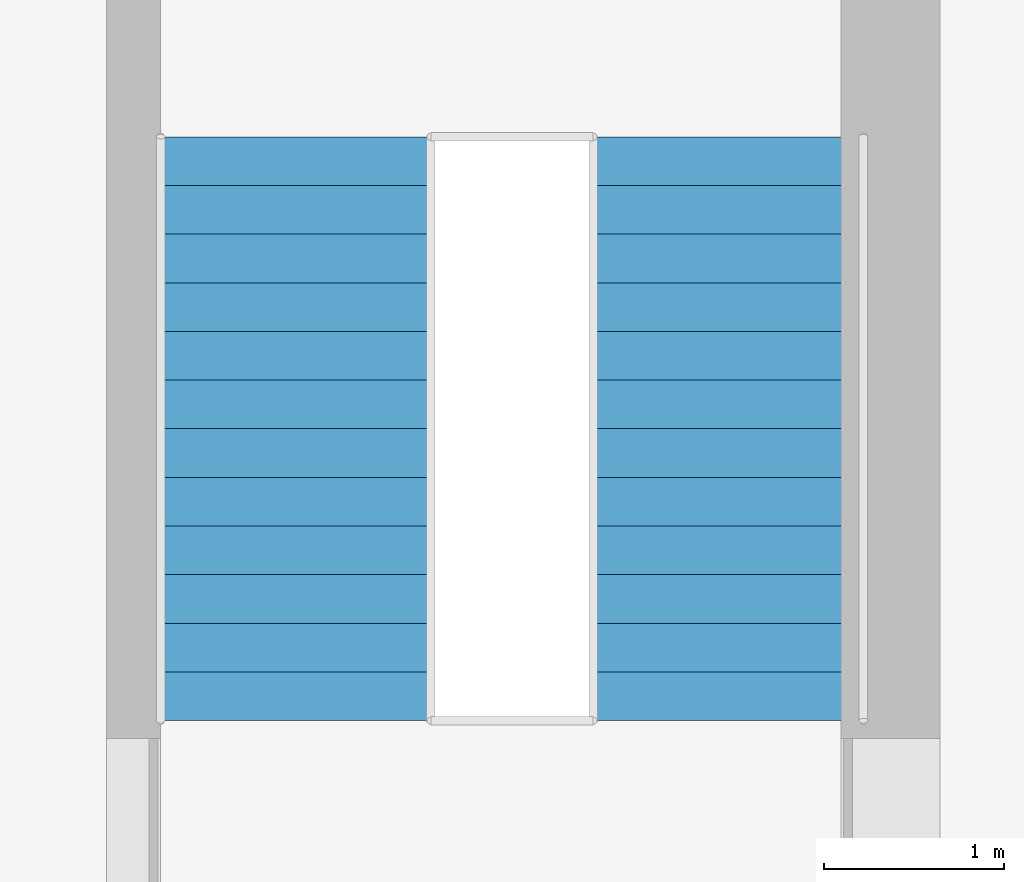
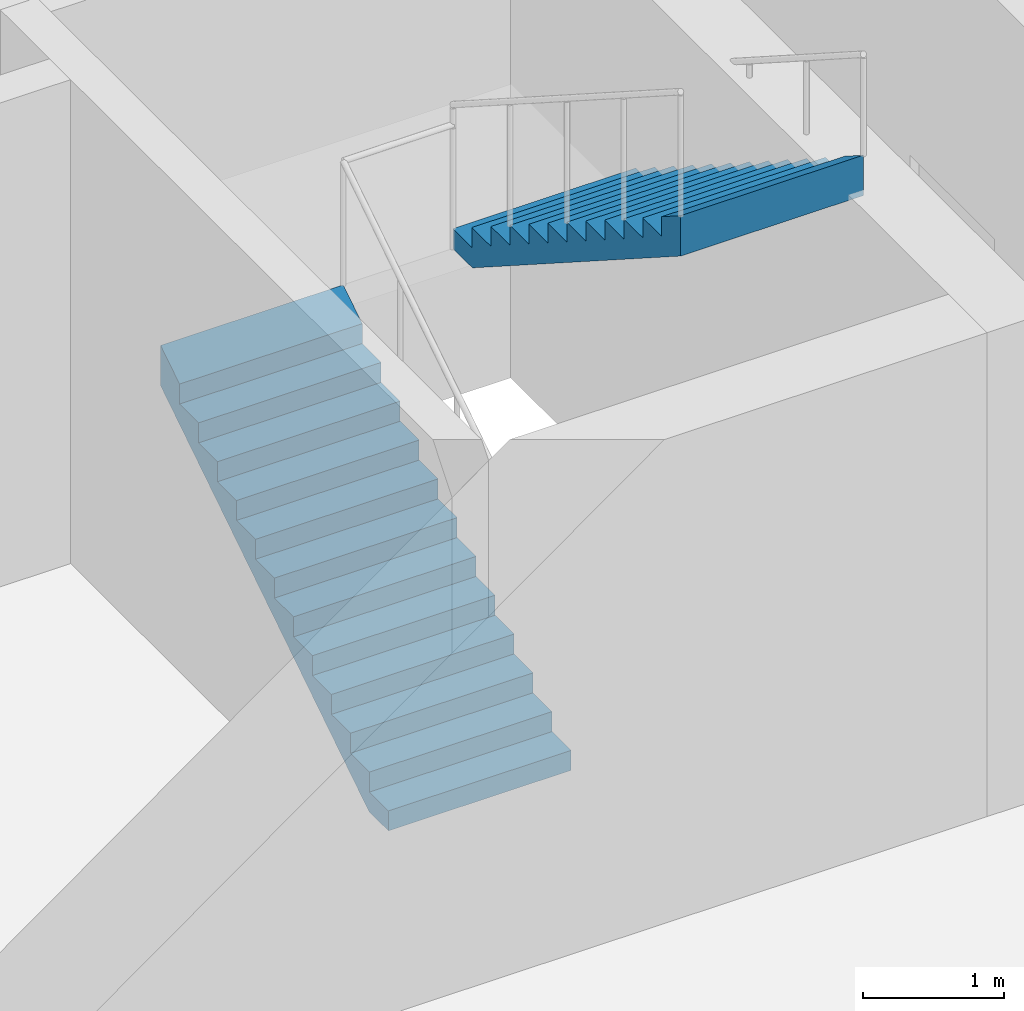
# One storey, part 7 of 11: 2 stair flights, 1 element without a shape of its own.
"""IFC4 building model written with IfcOpenShell, lengths in metres."""

from ifc_helpers import new_model, si_unit, direction, frame, origin, place, context, subcontext, project, spatial, triangles, material, type_object, element, aggregate, save


model = new_model("IFC4")

# Units and contexts
model_context = context("Model", 3, precision=1e-05, world=origin(), true_north=direction((0.0, 1.0)))
body_context = subcontext(model_context, "Body", "Model", "MODEL_VIEW")
ifc_project = project(units=[si_unit("LENGTHUNIT", "METRE"), si_unit("AREAUNIT", "SQUARE_METRE"), si_unit("VOLUMEUNIT", "CUBIC_METRE"), si_unit("PLANEANGLEUNIT", "RADIAN"), si_unit("MASSUNIT", "GRAM", prefix="KILO")], contexts=[model_context])

# Site, building, storey
site_placement = place(None, origin())
site = spatial("IfcSite", under=ifc_project, at=site_placement, CompositionType="ELEMENT")
building_placement = place(site_placement, origin())
building = spatial("IfcBuilding", under=site, at=building_placement, Name="Ludao Terraces", CompositionType="ELEMENT")
storey_placement = place(building_placement, frame((0.0, 0.0, 144.10009765625)))
storey = spatial("IfcBuildingStorey", under=building, at=storey_placement, Name="L39", CompositionType="ELEMENT", Elevation=144.10009765625)

# Stair, stair flights
ifc_material = material(Name="Concrete C40", Category="concrete")
stair_type = type_object("IfcStairType", Name="INT Stair", PredefinedType="HALF_TURN_STAIR", material=ifc_material)
stair_placement = place(storey_placement, origin())
stair = element("IfcStair", 1, at=stair_placement, inside=storey, type_object=stair_type, Name="EXIT STAIR 3", PredefinedType="HALF_TURN_STAIR")
stair_flight_type = type_object("IfcStairFlightType", Name="INT Stair flight", PredefinedType="STRAIGHT", material=ifc_material)
stair_flight_1_placement = place(storey_placement, frame((91.449951171875, 56.949951171875, 0.0), z_axis=(0.0, 0.0, 1.0), x_axis=(0.0, 1.0, 0.0)))
stair_flight_1 = element("IfcStairFlight", 2, at=stair_flight_1_placement, type_object=stair_flight_type, Name="ST3 flight 1", NumberOfRisers=13, NumberOfTreads=12, PredefinedType="STRAIGHT", RiserHeight=0.173077, TreadLength=0.27, context=body_context, shape_type="Tessellation", body=[
    triangles([(0.0, -0.75, 0.0), (0.0, -0.5, 0.0), (0.0, -0.25, 0.0), (0.0, 0.0, 0.0), (0.0, 0.25, 0.0), (0.0, 0.5, 0.0), (0.0, 0.75, 0.0), (0.0, -0.75, 0.173095703125), (0.0, -0.5, 0.173095703125), (0.0, -0.25, 0.173095703125), (0.0, 0.0, 0.173095703125), (0.0, 0.25, 0.173095703125), (0.0, 0.5, 0.173095703125), (0.0, 0.75, 0.173095703125), (0.27001953125, -0.75, 0.173095703125), (0.27001953125, -0.5, 0.173095703125), (0.27001953125, -0.25, 0.173095703125), (0.27001953125, 0.0, 0.173095703125), (0.27001953125, 0.25, 0.173095703125), (0.27001953125, 0.5, 0.173095703125), (0.27001953125, 0.75, 0.173095703125), (0.27001953125, -0.75, 0.34619140625), (0.27001953125, -0.5, 0.34619140625), (0.27001953125, -0.25, 0.34619140625), (0.27001953125, 0.0, 0.34619140625), (0.27001953125, 0.25, 0.34619140625), (0.27001953125, 0.5, 0.34619140625), (0.27001953125, 0.75, 0.34619140625), (0.5400390625, -0.75, 0.34619140625), (0.5400390625, -0.5, 0.34619140625), (0.5400390625, -0.25, 0.34619140625), (0.5400390625, 0.0, 0.34619140625), (0.5400390625, 0.25, 0.34619140625), (0.5400390625, 0.5, 0.34619140625), (0.5400390625, 0.75, 0.34619140625), (0.5400390625, -0.75, 0.519287109375), (0.5400390625, -0.5, 0.519287109375), (0.5400390625, -0.25, 0.519287109375), (0.5400390625, 0.0, 0.519287109375), (0.5400390625, 0.25, 0.519287109375), (0.5400390625, 0.5, 0.519287109375), (0.5400390625, 0.75, 0.519287109375), (0.81005859375, -0.75, 0.519287109375), (0.81005859375, -0.5, 0.519287109375), (0.81005859375, -0.25, 0.519287109375), (0.81005859375, 0.0, 0.519287109375), (0.81005859375, 0.25, 0.519287109375), (0.81005859375, 0.5, 0.519287109375), (0.81005859375, 0.75, 0.519287109375), (0.81005859375, -0.75, 0.6923828125), (0.81005859375, -0.5, 0.6923828125), (0.81005859375, -0.25, 0.6923828125), (0.81005859375, 0.0, 0.6923828125), (0.81005859375, 0.25, 0.6923828125), (0.81005859375, 0.5, 0.6923828125), (0.81005859375, 0.75, 0.6923828125), (1.080078125, -0.75, 0.6923828125), (1.080078125, -0.5, 0.6923828125), (1.080078125, -0.25, 0.6923828125), (1.080078125, 0.0, 0.6923828125), (1.080078125, 0.25, 0.6923828125), (1.080078125, 0.5, 0.6923828125), (1.080078125, 0.75, 0.6923828125), (1.080078125, -0.75, 0.865478515625), (1.080078125, -0.5, 0.865478515625), (1.080078125, -0.25, 0.865478515625), (1.080078125, 0.0, 0.865478515625), (1.080078125, 0.25, 0.865478515625), (1.080078125, 0.5, 0.865478515625), (1.080078125, 0.75, 0.865478515625), (1.35009765625, -0.75, 0.865478515625), (1.35009765625, -0.5, 0.865478515625), (1.35009765625, -0.25, 0.865478515625), (1.35009765625, 0.0, 0.865478515625), (1.35009765625, 0.25, 0.865478515625), (1.35009765625, 0.5, 0.865478515625), (1.35009765625, 0.75, 0.865478515625), (1.35009765625, -0.75, 1.03857421875), (1.35009765625, -0.5, 1.03857421875), (1.35009765625, -0.25, 1.03857421875), (1.35009765625, 0.0, 1.03857421875), (1.35009765625, 0.25, 1.03857421875), (1.35009765625, 0.5, 1.03857421875), (1.35009765625, 0.75, 1.03857421875), (1.6201171875, -0.75, 1.03857421875), (1.6201171875, -0.5, 1.03857421875), (1.6201171875, -0.25, 1.03857421875), (1.6201171875, 0.0, 1.03857421875), (1.6201171875, 0.25, 1.03857421875), (1.6201171875, 0.5, 1.03857421875), (1.6201171875, 0.75, 1.03857421875), (1.6201171875, -0.75, 1.21142578125), (1.6201171875, -0.5, 1.21142578125), (1.6201171875, -0.25, 1.21142578125), (1.6201171875, 0.0, 1.21142578125), (1.6201171875, 0.25, 1.21142578125), (1.6201171875, 0.5, 1.21142578125), (1.6201171875, 0.75, 1.21142578125), (1.889892578125, -0.75, 1.21142578125), (1.889892578125, -0.5, 1.21142578125), (1.889892578125, -0.25, 1.21142578125), (1.889892578125, 0.0, 1.21142578125), (1.889892578125, 0.25, 1.21142578125), (1.889892578125, 0.5, 1.21142578125), (1.889892578125, 0.75, 1.21142578125), (1.889892578125, -0.75, 1.384521484375), (1.889892578125, -0.5, 1.384521484375), (1.889892578125, -0.25, 1.384521484375), (1.889892578125, 0.0, 1.384521484375), (1.889892578125, 0.25, 1.384521484375), (1.889892578125, 0.5, 1.384521484375), (1.889892578125, 0.75, 1.384521484375), (2.159912109375, -0.75, 1.384521484375), (2.159912109375, -0.5, 1.384521484375), (2.159912109375, -0.25, 1.384521484375), (2.159912109375, 0.0, 1.384521484375), (2.159912109375, 0.25, 1.384521484375), (2.159912109375, 0.5, 1.384521484375), (2.159912109375, 0.75, 1.384521484375), (2.159912109375, -0.75, 1.5576171875), (2.159912109375, -0.5, 1.5576171875), (2.159912109375, -0.25, 1.5576171875), (2.159912109375, 0.0, 1.5576171875), (2.159912109375, 0.25, 1.5576171875), (2.159912109375, 0.5, 1.5576171875), (2.159912109375, 0.75, 1.5576171875), (2.429931640625, -0.75, 1.5576171875), (2.429931640625, -0.5, 1.5576171875), (2.429931640625, -0.25, 1.5576171875), (2.429931640625, 0.0, 1.5576171875), (2.429931640625, 0.25, 1.5576171875), (2.429931640625, 0.5, 1.5576171875), (2.429931640625, 0.75, 1.5576171875), (2.429931640625, -0.75, 1.730712890625), (2.429931640625, -0.5, 1.730712890625), (2.429931640625, -0.25, 1.730712890625), (2.429931640625, 0.0, 1.730712890625), (2.429931640625, 0.25, 1.730712890625), (2.429931640625, 0.5, 1.730712890625), (2.429931640625, 0.75, 1.730712890625), (2.699951171875, -0.75, 1.730712890625), (2.699951171875, -0.5, 1.730712890625), (2.699951171875, -0.25, 1.730712890625), (2.699951171875, 0.0, 1.730712890625), (2.699951171875, 0.25, 1.730712890625), (2.699951171875, 0.5, 1.730712890625), (2.699951171875, 0.75, 1.730712890625), (2.699951171875, -0.75, 1.90380859375), (2.699951171875, -0.5, 1.90380859375), (2.699951171875, -0.25, 1.90380859375), (2.699951171875, 0.0, 1.90380859375), (2.699951171875, 0.25, 1.90380859375), (2.699951171875, 0.5, 1.90380859375), (2.699951171875, 0.75, 1.90380859375), (2.969970703125, -0.75, 1.90380859375), (2.969970703125, -0.5, 1.90380859375), (2.969970703125, -0.25, 1.90380859375), (2.969970703125, 0.0, 1.90380859375), (2.969970703125, 0.25, 1.90380859375), (2.969970703125, 0.5, 1.90380859375), (2.969970703125, 0.75, 1.90380859375), (2.969970703125, -0.75, 2.076904296875), (2.969970703125, -0.5, 2.076904296875), (2.969970703125, -0.25, 2.076904296875), (2.969970703125, 0.0, 2.076904296875), (2.969970703125, 0.25, 2.076904296875), (2.969970703125, 0.5, 2.076904296875), (2.969970703125, 0.75, 2.076904296875), (3.239990234375, -0.75, 2.25), (3.239990234375, -0.5, 2.25), (3.239990234375, -0.25, 2.25), (3.239990234375, 0.0, 2.25), (3.239990234375, 0.25, 2.25), (3.239990234375, 0.5, 2.25), (3.239990234375, 0.75, 2.25), (3.239990234375, -0.75, 1.89892578125), (3.239990234375, -0.5, 1.89892578125), (3.239990234375, -0.25, 1.89892578125), (3.239990234375, 0.0, 1.89892578125), (3.239990234375, 0.25, 1.89892578125), (3.239990234375, 0.5, 1.89892578125), (3.239990234375, 0.75, 1.89892578125), (0.27783203125, -0.75, 0.0), (0.27783203125, -0.5, 0.0), (0.27783203125, -0.25, 0.0), (0.27783203125, 0.0, 0.0), (0.27783203125, 0.25, 0.0), (0.27783203125, 0.5, 0.0), (0.27783203125, 0.75, 0.0)], [[1, 183, 176], [7, 182, 189], [176, 169, 162], [182, 168, 175], [176, 162, 155], [182, 161, 168], [176, 155, 148], [182, 154, 161], [176, 148, 141], [182, 147, 154], [141, 134, 127], [147, 133, 140], [176, 141, 127], [182, 133, 147], [127, 120, 113], [133, 119, 126], [176, 127, 113], [182, 119, 133], [113, 106, 99], [119, 105, 112], [176, 113, 99], [182, 105, 119], [1, 176, 99], [7, 105, 182], [99, 92, 85], [105, 91, 98], [85, 78, 71], [91, 77, 84], [99, 85, 71], [105, 77, 91], [71, 64, 57], [77, 63, 70], [99, 71, 57], [105, 63, 77], [57, 50, 43], [63, 49, 56], [99, 57, 43], [105, 49, 63], [43, 36, 29], [49, 35, 42], [99, 43, 29], [105, 35, 49], [29, 22, 15], [35, 21, 28], [99, 29, 15], [105, 21, 35], [1, 99, 15], [7, 21, 105], [15, 8, 1], [21, 7, 14], [1, 9, 2], [1, 8, 9], [2, 10, 3], [2, 9, 10], [3, 11, 4], [3, 10, 11], [4, 12, 5], [4, 11, 12], [5, 13, 6], [5, 12, 13], [6, 14, 7], [6, 13, 14], [8, 16, 9], [8, 15, 16], [9, 17, 10], [9, 16, 17], [10, 18, 11], [10, 17, 18], [11, 19, 12], [11, 18, 19], [12, 20, 13], [12, 19, 20], [13, 21, 14], [13, 20, 21], [15, 23, 16], [15, 22, 23], [16, 24, 17], [16, 23, 24], [17, 25, 18], [17, 24, 25], [18, 26, 19], [18, 25, 26], [19, 27, 20], [19, 26, 27], [20, 28, 21], [20, 27, 28], [22, 30, 23], [22, 29, 30], [23, 31, 24], [23, 30, 31], [24, 32, 25], [24, 31, 32], [25, 33, 26], [25, 32, 33], [26, 34, 27], [26, 33, 34], [27, 35, 28], [27, 34, 35], [29, 37, 30], [29, 36, 37], [30, 38, 31], [30, 37, 38], [31, 39, 32], [31, 38, 39], [32, 40, 33], [32, 39, 40], [33, 41, 34], [33, 40, 41], [34, 42, 35], [34, 41, 42], [36, 44, 37], [36, 43, 44], [37, 45, 38], [37, 44, 45], [38, 46, 39], [38, 45, 46], [39, 47, 40], [39, 46, 47], [40, 48, 41], [40, 47, 48], [41, 49, 42], [41, 48, 49], [43, 51, 44], [43, 50, 51], [44, 52, 45], [44, 51, 52], [45, 53, 46], [45, 52, 53], [46, 54, 47], [46, 53, 54], [47, 55, 48], [47, 54, 55], [48, 56, 49], [48, 55, 56], [50, 58, 51], [50, 57, 58], [51, 59, 52], [51, 58, 59], [52, 60, 53], [52, 59, 60], [53, 61, 54], [53, 60, 61], [54, 62, 55], [54, 61, 62], [55, 63, 56], [55, 62, 63], [57, 65, 58], [57, 64, 65], [58, 66, 59], [58, 65, 66], [59, 67, 60], [59, 66, 67], [60, 68, 61], [60, 67, 68], [61, 69, 62], [61, 68, 69], [62, 70, 63], [62, 69, 70], [64, 72, 65], [64, 71, 72], [65, 73, 66], [65, 72, 73], [66, 74, 67], [66, 73, 74], [67, 75, 68], [67, 74, 75], [68, 76, 69], [68, 75, 76], [69, 77, 70], [69, 76, 77], [71, 79, 72], [71, 78, 79], [72, 80, 73], [72, 79, 80], [73, 81, 74], [73, 80, 81], [74, 82, 75], [74, 81, 82], [75, 83, 76], [75, 82, 83], [76, 84, 77], [76, 83, 84], [78, 86, 79], [78, 85, 86], [79, 87, 80], [79, 86, 87], [80, 88, 81], [80, 87, 88], [81, 89, 82], [81, 88, 89], [82, 90, 83], [82, 89, 90], [83, 91, 84], [83, 90, 91], [85, 93, 86], [85, 92, 93], [86, 94, 87], [86, 93, 94], [87, 95, 88], [87, 94, 95], [88, 96, 89], [88, 95, 96], [89, 97, 90], [89, 96, 97], [90, 98, 91], [90, 97, 98], [92, 100, 93], [92, 99, 100], [93, 101, 94], [93, 100, 101], [94, 102, 95], [94, 101, 102], [95, 103, 96], [95, 102, 103], [96, 104, 97], [96, 103, 104], [97, 105, 98], [97, 104, 105], [99, 107, 100], [99, 106, 107], [100, 108, 101], [100, 107, 108], [101, 109, 102], [101, 108, 109], [102, 110, 103], [102, 109, 110], [103, 111, 104], [103, 110, 111], [104, 112, 105], [104, 111, 112], [106, 114, 107], [106, 113, 114], [107, 115, 108], [107, 114, 115], [108, 116, 109], [108, 115, 116], [109, 117, 110], [109, 116, 117], [110, 118, 111], [110, 117, 118], [111, 119, 112], [111, 118, 119], [113, 121, 114], [113, 120, 121], [114, 122, 115], [114, 121, 122], [115, 123, 116], [115, 122, 123], [116, 124, 117], [116, 123, 124], [117, 125, 118], [117, 124, 125], [118, 126, 119], [118, 125, 126], [120, 128, 121], [120, 127, 128], [121, 129, 122], [121, 128, 129], [122, 130, 123], [122, 129, 130], [123, 131, 124], [123, 130, 131], [124, 132, 125], [124, 131, 132], [125, 133, 126], [125, 132, 133], [127, 135, 128], [127, 134, 135], [128, 136, 129], [128, 135, 136], [129, 137, 130], [129, 136, 137], [130, 138, 131], [130, 137, 138], [131, 139, 132], [131, 138, 139], [132, 140, 133], [132, 139, 140], [134, 142, 135], [134, 141, 142], [135, 143, 136], [135, 142, 143], [136, 144, 137], [136, 143, 144], [137, 145, 138], [137, 144, 145], [138, 146, 139], [138, 145, 146], [139, 147, 140], [139, 146, 147], [141, 149, 142], [141, 148, 149], [142, 150, 143], [142, 149, 150], [143, 151, 144], [143, 150, 151], [144, 152, 145], [144, 151, 152], [145, 153, 146], [145, 152, 153], [146, 154, 147], [146, 153, 154], [148, 156, 149], [148, 155, 156], [149, 157, 150], [149, 156, 157], [150, 158, 151], [150, 157, 158], [151, 159, 152], [151, 158, 159], [152, 160, 153], [152, 159, 160], [153, 161, 154], [153, 160, 161], [155, 163, 156], [155, 162, 163], [156, 164, 157], [156, 163, 164], [157, 165, 158], [157, 164, 165], [158, 166, 159], [158, 165, 166], [159, 167, 160], [159, 166, 167], [160, 168, 161], [160, 167, 168], [162, 170, 163], [162, 169, 170], [163, 171, 164], [163, 170, 171], [164, 172, 165], [164, 171, 172], [165, 173, 166], [165, 172, 173], [166, 174, 167], [166, 173, 174], [167, 175, 168], [167, 174, 175], [169, 177, 170], [169, 176, 177], [170, 178, 171], [170, 177, 178], [171, 179, 172], [171, 178, 179], [172, 180, 173], [172, 179, 180], [173, 181, 174], [173, 180, 181], [174, 182, 175], [174, 181, 182], [176, 184, 177], [176, 183, 184], [177, 185, 178], [177, 184, 185], [178, 186, 179], [178, 185, 186], [179, 187, 180], [179, 186, 187], [180, 188, 181], [180, 187, 188], [181, 189, 182], [181, 188, 189], [183, 2, 184], [183, 1, 2], [184, 3, 185], [184, 2, 3], [185, 4, 186], [185, 3, 4], [186, 5, 187], [186, 4, 5], [187, 6, 188], [187, 5, 6], [188, 7, 189], [188, 6, 7]], closed=True),
])
stair_flight_2_placement = place(storey_placement, frame((93.85009765625, 60.18994140625, 2.25), z_axis=(0.0, 0.0, 1.0), x_axis=(0.0, -1.0, 0.0)))
stair_flight_2 = element("IfcStairFlight", 3, at=stair_flight_2_placement, type_object=stair_flight_type, Name="ST3 flight 2", NumberOfRisers=13, NumberOfTreads=12, PredefinedType="STRAIGHT", RiserHeight=0.173077, TreadLength=0.27, context=body_context, shape_type="Tessellation", body=[
    triangles([(0.0, -0.75, 0.0), (0.0, -0.5, 0.0), (0.0, -0.25, 0.0), (0.0, 0.0, 0.0), (0.0, 0.25, 0.0), (0.0, 0.5, 0.0), (0.0, 0.75, 0.0), (0.0, -0.75, 0.173095703125), (0.0, -0.5, 0.173095703125), (0.0, -0.25, 0.173095703125), (0.0, 0.0, 0.173095703125), (0.0, 0.25, 0.173095703125), (0.0, 0.5, 0.173095703125), (0.0, 0.75, 0.173095703125), (0.27001953125, -0.75, 0.173095703125), (0.27001953125, -0.5, 0.173095703125), (0.27001953125, -0.25, 0.173095703125), (0.27001953125, 0.0, 0.173095703125), (0.27001953125, 0.25, 0.173095703125), (0.27001953125, 0.5, 0.173095703125), (0.27001953125, 0.75, 0.173095703125), (0.27001953125, -0.75, 0.34619140625), (0.27001953125, -0.5, 0.34619140625), (0.27001953125, -0.25, 0.34619140625), (0.27001953125, 0.0, 0.34619140625), (0.27001953125, 0.25, 0.34619140625), (0.27001953125, 0.5, 0.34619140625), (0.27001953125, 0.75, 0.34619140625), (0.5400390625, -0.75, 0.34619140625), (0.5400390625, -0.5, 0.34619140625), (0.5400390625, -0.25, 0.34619140625), (0.5400390625, 0.0, 0.34619140625), (0.5400390625, 0.25, 0.34619140625), (0.5400390625, 0.5, 0.34619140625), (0.5400390625, 0.75, 0.34619140625), (0.5400390625, -0.75, 0.519287109375), (0.5400390625, -0.5, 0.519287109375), (0.5400390625, -0.25, 0.519287109375), (0.5400390625, 0.0, 0.519287109375), (0.5400390625, 0.25, 0.519287109375), (0.5400390625, 0.5, 0.519287109375), (0.5400390625, 0.75, 0.519287109375), (0.81005859375, -0.75, 0.519287109375), (0.81005859375, -0.5, 0.519287109375), (0.81005859375, -0.25, 0.519287109375), (0.81005859375, 0.0, 0.519287109375), (0.81005859375, 0.25, 0.519287109375), (0.81005859375, 0.5, 0.519287109375), (0.81005859375, 0.75, 0.519287109375), (0.81005859375, -0.75, 0.6923828125), (0.81005859375, -0.5, 0.6923828125), (0.81005859375, -0.25, 0.6923828125), (0.81005859375, 0.0, 0.6923828125), (0.81005859375, 0.25, 0.6923828125), (0.81005859375, 0.5, 0.6923828125), (0.81005859375, 0.75, 0.6923828125), (1.080078125, -0.75, 0.6923828125), (1.080078125, -0.5, 0.6923828125), (1.080078125, -0.25, 0.6923828125), (1.080078125, 0.0, 0.6923828125), (1.080078125, 0.25, 0.6923828125), (1.080078125, 0.5, 0.6923828125), (1.080078125, 0.75, 0.6923828125), (1.080078125, -0.75, 0.865478515625), (1.080078125, -0.5, 0.865478515625), (1.080078125, -0.25, 0.865478515625), (1.080078125, 0.0, 0.865478515625), (1.080078125, 0.25, 0.865478515625), (1.080078125, 0.5, 0.865478515625), (1.080078125, 0.75, 0.865478515625), (1.35009765625, -0.75, 0.865478515625), (1.35009765625, -0.5, 0.865478515625), (1.35009765625, -0.25, 0.865478515625), (1.35009765625, 0.0, 0.865478515625), (1.35009765625, 0.25, 0.865478515625), (1.35009765625, 0.5, 0.865478515625), (1.35009765625, 0.75, 0.865478515625), (1.35009765625, -0.75, 1.03857421875), (1.35009765625, -0.5, 1.03857421875), (1.35009765625, -0.25, 1.03857421875), (1.35009765625, 0.0, 1.03857421875), (1.35009765625, 0.25, 1.03857421875), (1.35009765625, 0.5, 1.03857421875), (1.35009765625, 0.75, 1.03857421875), (1.6201171875, -0.75, 1.03857421875), (1.6201171875, -0.5, 1.03857421875), (1.6201171875, -0.25, 1.03857421875), (1.6201171875, 0.0, 1.03857421875), (1.6201171875, 0.25, 1.03857421875), (1.6201171875, 0.5, 1.03857421875), (1.6201171875, 0.75, 1.03857421875), (1.6201171875, -0.75, 1.21142578125), (1.6201171875, -0.5, 1.21142578125), (1.6201171875, -0.25, 1.21142578125), (1.6201171875, 0.0, 1.21142578125), (1.6201171875, 0.25, 1.21142578125), (1.6201171875, 0.5, 1.21142578125), (1.6201171875, 0.75, 1.21142578125), (1.889892578125, -0.75, 1.21142578125), (1.889892578125, -0.5, 1.21142578125), (1.889892578125, -0.25, 1.21142578125), (1.889892578125, 0.0, 1.21142578125), (1.889892578125, 0.25, 1.21142578125), (1.889892578125, 0.5, 1.21142578125), (1.889892578125, 0.75, 1.21142578125), (1.889892578125, -0.75, 1.384521484375), (1.889892578125, -0.5, 1.384521484375), (1.889892578125, -0.25, 1.384521484375), (1.889892578125, 0.0, 1.384521484375), (1.889892578125, 0.25, 1.384521484375), (1.889892578125, 0.5, 1.384521484375), (1.889892578125, 0.75, 1.384521484375), (2.159912109375, -0.75, 1.384521484375), (2.159912109375, -0.5, 1.384521484375), (2.159912109375, -0.25, 1.384521484375), (2.159912109375, 0.0, 1.384521484375), (2.159912109375, 0.25, 1.384521484375), (2.159912109375, 0.5, 1.384521484375), (2.159912109375, 0.75, 1.384521484375), (2.159912109375, -0.75, 1.5576171875), (2.159912109375, -0.5, 1.5576171875), (2.159912109375, -0.25, 1.5576171875), (2.159912109375, 0.0, 1.5576171875), (2.159912109375, 0.25, 1.5576171875), (2.159912109375, 0.5, 1.5576171875), (2.159912109375, 0.75, 1.5576171875), (2.429931640625, -0.75, 1.5576171875), (2.429931640625, -0.5, 1.5576171875), (2.429931640625, -0.25, 1.5576171875), (2.429931640625, 0.0, 1.5576171875), (2.429931640625, 0.25, 1.5576171875), (2.429931640625, 0.5, 1.5576171875), (2.429931640625, 0.75, 1.5576171875), (2.429931640625, -0.75, 1.730712890625), (2.429931640625, -0.5, 1.730712890625), (2.429931640625, -0.25, 1.730712890625), (2.429931640625, 0.0, 1.730712890625), (2.429931640625, 0.25, 1.730712890625), (2.429931640625, 0.5, 1.730712890625), (2.429931640625, 0.75, 1.730712890625), (2.699951171875, -0.75, 1.730712890625), (2.699951171875, -0.5, 1.730712890625), (2.699951171875, -0.25, 1.730712890625), (2.699951171875, 0.0, 1.730712890625), (2.699951171875, 0.25, 1.730712890625), (2.699951171875, 0.5, 1.730712890625), (2.699951171875, 0.75, 1.730712890625), (2.699951171875, -0.75, 1.90380859375), (2.699951171875, -0.5, 1.90380859375), (2.699951171875, -0.25, 1.90380859375), (2.699951171875, 0.0, 1.90380859375), (2.699951171875, 0.25, 1.90380859375), (2.699951171875, 0.5, 1.90380859375), (2.699951171875, 0.75, 1.90380859375), (2.969970703125, -0.75, 1.90380859375), (2.969970703125, -0.5, 1.90380859375), (2.969970703125, -0.25, 1.90380859375), (2.969970703125, 0.0, 1.90380859375), (2.969970703125, 0.25, 1.90380859375), (2.969970703125, 0.5, 1.90380859375), (2.969970703125, 0.75, 1.90380859375), (2.969970703125, -0.75, 2.076904296875), (2.969970703125, -0.5, 2.076904296875), (2.969970703125, -0.25, 2.076904296875), (2.969970703125, 0.0, 2.076904296875), (2.969970703125, 0.25, 2.076904296875), (2.969970703125, 0.5, 2.076904296875), (2.969970703125, 0.75, 2.076904296875), (3.239990234375, -0.75, 2.25), (3.239990234375, -0.5, 2.25), (3.239990234375, -0.25, 2.25), (3.239990234375, 0.0, 2.25), (3.239990234375, 0.25, 2.25), (3.239990234375, 0.5, 2.25), (3.239990234375, 0.75, 2.25), (3.239990234375, -0.75, 1.89892578125), (3.239990234375, -0.5, 1.89892578125), (3.239990234375, -0.25, 1.89892578125), (3.239990234375, 0.0, 1.89892578125), (3.239990234375, 0.25, 1.89892578125), (3.239990234375, 0.5, 1.89892578125), (3.239990234375, 0.75, 1.89892578125), (0.27783203125, -0.75, 0.0), (0.27783203125, -0.5, 0.0), (0.27783203125, -0.25, 0.0), (0.27783203125, 0.0, 0.0), (0.27783203125, 0.25, 0.0), (0.27783203125, 0.5, 0.0), (0.27783203125, 0.75, 0.0)], [[1, 183, 176], [7, 182, 189], [176, 169, 162], [182, 168, 175], [176, 162, 155], [182, 161, 168], [176, 155, 148], [182, 154, 161], [176, 148, 141], [182, 147, 154], [141, 134, 127], [147, 133, 140], [176, 141, 127], [182, 133, 147], [127, 120, 113], [133, 119, 126], [176, 127, 113], [182, 119, 133], [113, 106, 99], [119, 105, 112], [176, 113, 99], [182, 105, 119], [1, 176, 99], [7, 105, 182], [99, 92, 85], [105, 91, 98], [85, 78, 71], [91, 77, 84], [99, 85, 71], [105, 77, 91], [71, 64, 57], [77, 63, 70], [99, 71, 57], [105, 63, 77], [57, 50, 43], [63, 49, 56], [99, 57, 43], [105, 49, 63], [43, 36, 29], [49, 35, 42], [99, 43, 29], [105, 35, 49], [29, 22, 15], [35, 21, 28], [99, 29, 15], [105, 21, 35], [1, 99, 15], [7, 21, 105], [15, 8, 1], [21, 7, 14], [1, 9, 2], [1, 8, 9], [2, 10, 3], [2, 9, 10], [3, 11, 4], [3, 10, 11], [4, 12, 5], [4, 11, 12], [5, 13, 6], [5, 12, 13], [6, 14, 7], [6, 13, 14], [8, 16, 9], [8, 15, 16], [9, 17, 10], [9, 16, 17], [10, 18, 11], [10, 17, 18], [11, 19, 12], [11, 18, 19], [12, 20, 13], [12, 19, 20], [13, 21, 14], [13, 20, 21], [15, 23, 16], [15, 22, 23], [16, 24, 17], [16, 23, 24], [17, 25, 18], [17, 24, 25], [18, 26, 19], [18, 25, 26], [19, 27, 20], [19, 26, 27], [20, 28, 21], [20, 27, 28], [22, 30, 23], [22, 29, 30], [23, 31, 24], [23, 30, 31], [24, 32, 25], [24, 31, 32], [25, 33, 26], [25, 32, 33], [26, 34, 27], [26, 33, 34], [27, 35, 28], [27, 34, 35], [29, 37, 30], [29, 36, 37], [30, 38, 31], [30, 37, 38], [31, 39, 32], [31, 38, 39], [32, 40, 33], [32, 39, 40], [33, 41, 34], [33, 40, 41], [34, 42, 35], [34, 41, 42], [36, 44, 37], [36, 43, 44], [37, 45, 38], [37, 44, 45], [38, 46, 39], [38, 45, 46], [39, 47, 40], [39, 46, 47], [40, 48, 41], [40, 47, 48], [41, 49, 42], [41, 48, 49], [43, 51, 44], [43, 50, 51], [44, 52, 45], [44, 51, 52], [45, 53, 46], [45, 52, 53], [46, 54, 47], [46, 53, 54], [47, 55, 48], [47, 54, 55], [48, 56, 49], [48, 55, 56], [50, 58, 51], [50, 57, 58], [51, 59, 52], [51, 58, 59], [52, 60, 53], [52, 59, 60], [53, 61, 54], [53, 60, 61], [54, 62, 55], [54, 61, 62], [55, 63, 56], [55, 62, 63], [57, 65, 58], [57, 64, 65], [58, 66, 59], [58, 65, 66], [59, 67, 60], [59, 66, 67], [60, 68, 61], [60, 67, 68], [61, 69, 62], [61, 68, 69], [62, 70, 63], [62, 69, 70], [64, 72, 65], [64, 71, 72], [65, 73, 66], [65, 72, 73], [66, 74, 67], [66, 73, 74], [67, 75, 68], [67, 74, 75], [68, 76, 69], [68, 75, 76], [69, 77, 70], [69, 76, 77], [71, 79, 72], [71, 78, 79], [72, 80, 73], [72, 79, 80], [73, 81, 74], [73, 80, 81], [74, 82, 75], [74, 81, 82], [75, 83, 76], [75, 82, 83], [76, 84, 77], [76, 83, 84], [78, 86, 79], [78, 85, 86], [79, 87, 80], [79, 86, 87], [80, 88, 81], [80, 87, 88], [81, 89, 82], [81, 88, 89], [82, 90, 83], [82, 89, 90], [83, 91, 84], [83, 90, 91], [85, 93, 86], [85, 92, 93], [86, 94, 87], [86, 93, 94], [87, 95, 88], [87, 94, 95], [88, 96, 89], [88, 95, 96], [89, 97, 90], [89, 96, 97], [90, 98, 91], [90, 97, 98], [92, 100, 93], [92, 99, 100], [93, 101, 94], [93, 100, 101], [94, 102, 95], [94, 101, 102], [95, 103, 96], [95, 102, 103], [96, 104, 97], [96, 103, 104], [97, 105, 98], [97, 104, 105], [99, 107, 100], [99, 106, 107], [100, 108, 101], [100, 107, 108], [101, 109, 102], [101, 108, 109], [102, 110, 103], [102, 109, 110], [103, 111, 104], [103, 110, 111], [104, 112, 105], [104, 111, 112], [106, 114, 107], [106, 113, 114], [107, 115, 108], [107, 114, 115], [108, 116, 109], [108, 115, 116], [109, 117, 110], [109, 116, 117], [110, 118, 111], [110, 117, 118], [111, 119, 112], [111, 118, 119], [113, 121, 114], [113, 120, 121], [114, 122, 115], [114, 121, 122], [115, 123, 116], [115, 122, 123], [116, 124, 117], [116, 123, 124], [117, 125, 118], [117, 124, 125], [118, 126, 119], [118, 125, 126], [120, 128, 121], [120, 127, 128], [121, 129, 122], [121, 128, 129], [122, 130, 123], [122, 129, 130], [123, 131, 124], [123, 130, 131], [124, 132, 125], [124, 131, 132], [125, 133, 126], [125, 132, 133], [127, 135, 128], [127, 134, 135], [128, 136, 129], [128, 135, 136], [129, 137, 130], [129, 136, 137], [130, 138, 131], [130, 137, 138], [131, 139, 132], [131, 138, 139], [132, 140, 133], [132, 139, 140], [134, 142, 135], [134, 141, 142], [135, 143, 136], [135, 142, 143], [136, 144, 137], [136, 143, 144], [137, 145, 138], [137, 144, 145], [138, 146, 139], [138, 145, 146], [139, 147, 140], [139, 146, 147], [141, 149, 142], [141, 148, 149], [142, 150, 143], [142, 149, 150], [143, 151, 144], [143, 150, 151], [144, 152, 145], [144, 151, 152], [145, 153, 146], [145, 152, 153], [146, 154, 147], [146, 153, 154], [148, 156, 149], [148, 155, 156], [149, 157, 150], [149, 156, 157], [150, 158, 151], [150, 157, 158], [151, 159, 152], [151, 158, 159], [152, 160, 153], [152, 159, 160], [153, 161, 154], [153, 160, 161], [155, 163, 156], [155, 162, 163], [156, 164, 157], [156, 163, 164], [157, 165, 158], [157, 164, 165], [158, 166, 159], [158, 165, 166], [159, 167, 160], [159, 166, 167], [160, 168, 161], [160, 167, 168], [162, 170, 163], [162, 169, 170], [163, 171, 164], [163, 170, 171], [164, 172, 165], [164, 171, 172], [165, 173, 166], [165, 172, 173], [166, 174, 167], [166, 173, 174], [167, 175, 168], [167, 174, 175], [169, 177, 170], [169, 176, 177], [170, 178, 171], [170, 177, 178], [171, 179, 172], [171, 178, 179], [172, 180, 173], [172, 179, 180], [173, 181, 174], [173, 180, 181], [174, 182, 175], [174, 181, 182], [176, 184, 177], [176, 183, 184], [177, 185, 178], [177, 184, 185], [178, 186, 179], [178, 185, 186], [179, 187, 180], [179, 186, 187], [180, 188, 181], [180, 187, 188], [181, 189, 182], [181, 188, 189], [183, 2, 184], [183, 1, 2], [184, 3, 185], [184, 2, 3], [185, 4, 186], [185, 3, 4], [186, 5, 187], [186, 4, 5], [187, 6, 188], [187, 5, 6], [188, 7, 189], [188, 6, 7]], closed=True),
])
aggregate(stair, [stair_flight_1, stair_flight_2])

save(model, "model.ifc")
